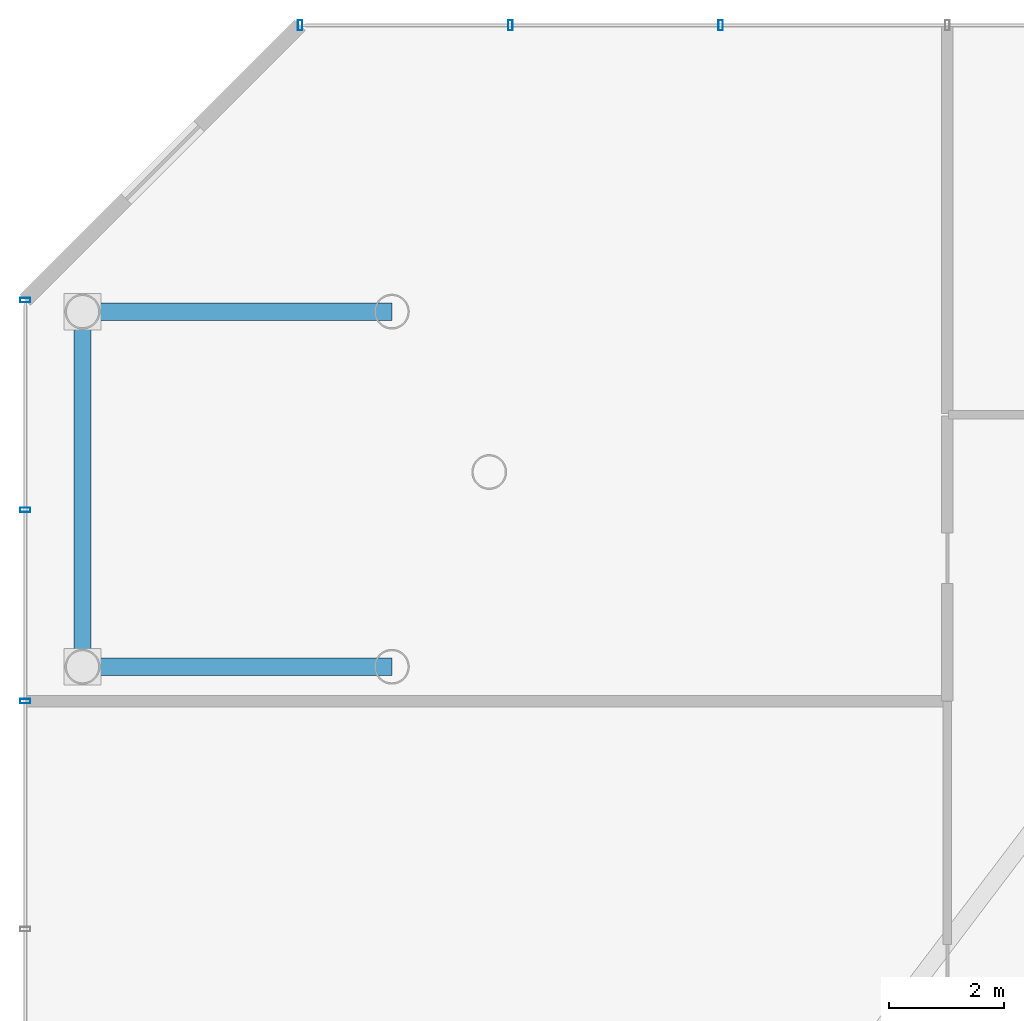
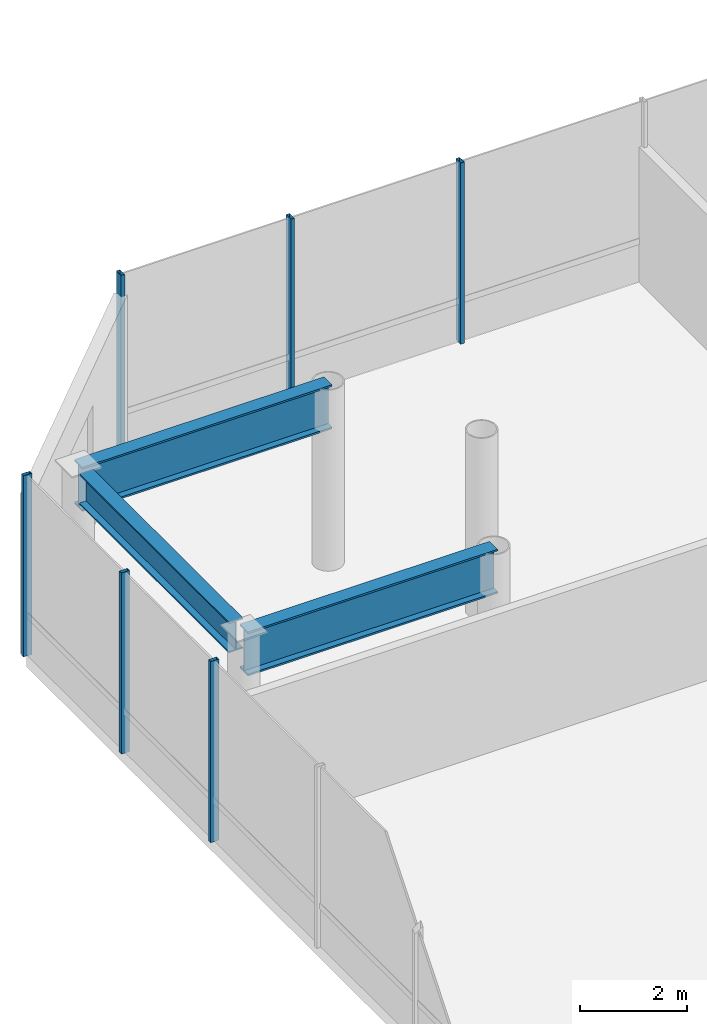
# One storey, part 17 of 37: 6 members, 3 beams, 2 elements without a shape of their own.
"""IFC4 building model written with IfcOpenShell, lengths in metres."""

from ifc_helpers import new_model, si_unit, direction, frame, origin, origin_2d, place, context, subcontext, project, spatial, hollow_rectangle, i_section, extrude, material, layer, layer_set, material_profile, profile_set, type_object, element, aggregate, save


model = new_model("IFC4")

# Units and contexts
model_context = context("Model", 3, precision=1e-05, world=origin(), true_north=direction((0.0, 1.0)))
body_context = subcontext(model_context, "Body", "Model", "MODEL_VIEW")
ifc_project = project(units=[si_unit("LENGTHUNIT", "METRE"), si_unit("AREAUNIT", "SQUARE_METRE"), si_unit("VOLUMEUNIT", "CUBIC_METRE"), si_unit("PLANEANGLEUNIT", "RADIAN"), si_unit("MASSUNIT", "GRAM", prefix="KILO")], contexts=[model_context])

# Site, building, storey
site_placement = place(None, origin())
site = spatial("IfcSite", under=ifc_project, at=site_placement, CompositionType="ELEMENT")
building_placement = place(site_placement, origin())
building = spatial("IfcBuilding", under=site, at=building_placement, Name="Zarrinselat Tower", CompositionType="ELEMENT")
storey_placement = place(building_placement, frame((0.0, 0.0, 13.93994140625)))
storey = spatial("IfcBuildingStorey", under=building, at=storey_placement, Name="L03", CompositionType="ELEMENT", Elevation=13.93994140625)

# Beams
ifc_material_1 = material(Name="Steel S355J2", Category="steel")
ifc_material_profile_1 = material_profile(ifc_material_1, i_section(OverallWidth=0.300048828125, OverallDepth=0.699951171875, WebThickness=0.01708984375, FlangeThickness=0.031982421875, at=origin_2d()), Name="HEB 700")
ifc_profile_set_1 = profile_set([ifc_material_profile_1], Name="Steel S355J2")
beam_type_1 = type_object("IfcBeamType", Name="BM-HEB700", PredefinedType="SPANDREL", material=ifc_profile_set_1)
beam_placement = place(storey_placement, frame((3.39990234375, 40.89990234375, 3.7900390625), z_axis=(0.0, 1.0, 0.0), x_axis=(-1.0, 0.0, 0.0)))
element("IfcBeam", 1, at=beam_placement, inside=storey, type_object=beam_type_1, Name="L03 Podium Perimeter Beam W-40", PredefinedType="SPANDREL", context=body_context, shape_type="SweptSolid", body=[
    extrude(i_section(OverallWidth=0.300048828125, OverallDepth=0.699951171875, WebThickness=0.01708984375, FlangeThickness=0.031982421875, at=origin_2d()), origin(), (0.0, 0.0, 1.0), 5.60009765625),
])
ifc_material_2 = material(Name="Steel S460M", Category="steel")
ifc_material_profile_2 = material_profile(ifc_material_2, i_section(OverallWidth=0.302001953125, OverallDepth=1.008056640625, WebThickness=0.02099609375, FlangeThickness=0.0400390625, at=origin_2d()), Name="HEM 1000")
ifc_profile_set_2 = profile_set([ifc_material_profile_2], Name="Steel S460M")
beam_type_2 = type_object("IfcBeamType", Name="BM-PDTR-HEM1000", PredefinedType="BEAM", material=ifc_profile_set_2)
for number, where, z_axis, x_axis, name in (
    (2, (3.39990234375, 40.60009765625, 3.635986328125), (1.0, 0.0, 0.0), (0.0, 1.0, 0.0), "L03 Podium Transfer Girder W-40"),
    (3, (3.39990234375, 46.800048828125, 3.635986328125), (1.0, 0.0, 0.0), (0.0, 1.0, 0.0), "L03 Podium Transfer Girder W-46"),
):
    element("IfcBeam", number, at=place(storey_placement, frame(where, z_axis=z_axis, x_axis=x_axis)), inside=storey, type_object=beam_type_2, Name=name, PredefinedType="BEAM", context=body_context, shape_type="SweptSolid", body=[
        extrude(i_section(OverallWidth=0.302001953125, OverallDepth=1.008056640625, WebThickness=0.02099609375, FlangeThickness=0.0400390625, at=origin_2d()), origin(), (0.0, 0.0, 1.0), 5.400146484375),
    ])

# Curtain wall, members
ifc_material_3 = material(Name="Extruded Aluminium Alloy EN AW-6063 T6", Category="aluminium")
ifc_layer = layer(ifc_material_3, 0.2099609375)
ifc_layer_set = layer_set([ifc_layer], Name="Extruded Aluminium Alloy EN AW-6063 T6")
curtain_wall_type = type_object("IfcCurtainWallType", Name="CWS-POD", PredefinedType="NOTDEFINED", material=ifc_layer_set)
curtain_wall_1_placement = place(storey_placement, origin())
curtain_wall_1 = element("IfcCurtainWall", 4, at=curtain_wall_1_placement, inside=storey, type_object=curtain_wall_type, Name="L03 Unitised Curtain Wall CW-L03-F5", PredefinedType="NOTDEFINED")
ifc_material_4 = material(Name="Extruded Aluminium Alloy EN AW-6063 T6", Category="aluminium")
ifc_material_profile_3 = material_profile(ifc_material_4, hollow_rectangle(XDim=0.080078125, YDim=0.179931640625, WallThickness=0.0048828125, at=origin_2d()), Name="RHS 180x80x5")
ifc_profile_set_3 = profile_set([ifc_material_profile_3], Name="Extruded Aluminium Alloy EN AW-6063 T6")
member_type = type_object("IfcMemberType", Name="MEM-CW-MUL", PredefinedType="MULLION", material=ifc_profile_set_3)
member_1_placement = place(storey_placement, frame((14.541259765625, 51.800048828125, 0.0), z_axis=(0.0, 0.0, 1.0), x_axis=(-1.0, 0.0, 0.0)))
member_1 = element("IfcMember", 5, at=member_1_placement, type_object=member_type, Name="CW-L03-F5 Mullion 16", PredefinedType="MULLION", context=body_context, shape_type="SweptSolid", body=[
    extrude(hollow_rectangle(XDim=0.080078125, YDim=0.179931640625, WallThickness=0.0048828125, at=origin_2d()), origin(), (0.0, 0.0, 1.0), 4.14013671875),
])
member_2_placement = place(storey_placement, frame((10.87060546875, 51.800048828125, 0.0), z_axis=(0.0, 0.0, 1.0), x_axis=(-1.0, 0.0, 0.0)))
member_2 = element("IfcMember", 6, at=member_2_placement, type_object=member_type, Name="CW-L03-F5 Mullion 17", PredefinedType="MULLION", context=body_context, shape_type="SweptSolid", body=[
    extrude(hollow_rectangle(XDim=0.080078125, YDim=0.179931640625, WallThickness=0.0048828125, at=origin_2d()), origin(), (0.0, 0.0, 1.0), 4.14013671875),
])
member_3_placement = place(storey_placement, frame((7.199951171875, 51.800048828125, 0.0), z_axis=(0.0, 0.0, 1.0), x_axis=(-1.0, 0.0, 0.0)))
member_3 = element("IfcMember", 7, at=member_3_placement, type_object=member_type, Name="CW-L03-F5 Mullion 18", PredefinedType="MULLION", context=body_context, shape_type="SweptSolid", body=[
    extrude(hollow_rectangle(XDim=0.080078125, YDim=0.179931640625, WallThickness=0.0048828125, at=origin_2d()), origin(), (0.0, 0.0, 1.0), 4.14013671875),
])
aggregate(curtain_wall_1, [member_1, member_2, member_3])

curtain_wall_2_placement = place(storey_placement, origin())
curtain_wall_2 = element("IfcCurtainWall", 8, at=curtain_wall_2_placement, inside=storey, type_object=curtain_wall_type, Name="L03 Unitised Curtain Wall CW-L03-F7", PredefinedType="NOTDEFINED")
member_4_placement = place(storey_placement, frame((2.39990234375, 47.0, 0.0), z_axis=(0.0, 0.0, 1.0), x_axis=(0.0, -1.0, 0.0)))
member_4 = element("IfcMember", 9, at=member_4_placement, type_object=member_type, Name="CW-L03-F7 Mullion 0", PredefinedType="MULLION", context=body_context, shape_type="SweptSolid", body=[
    extrude(hollow_rectangle(XDim=0.080078125, YDim=0.179931640625, WallThickness=0.0048828125, at=origin_2d()), origin(), (0.0, 0.0, 1.0), 4.14013671875),
])
member_5_placement = place(storey_placement, frame((2.39990234375, 43.340087890625, 0.0), z_axis=(0.0, 0.0, 1.0), x_axis=(0.0, -1.0, 0.0)))
member_5 = element("IfcMember", 10, at=member_5_placement, type_object=member_type, Name="CW-L03-F7 Mullion 1", PredefinedType="MULLION", context=body_context, shape_type="SweptSolid", body=[
    extrude(hollow_rectangle(XDim=0.080078125, YDim=0.179931640625, WallThickness=0.0048828125, at=origin_2d()), origin(), (0.0, 0.0, 1.0), 4.14013671875),
])
member_6_placement = place(storey_placement, frame((2.39990234375, 40.0, 0.0), z_axis=(0.0, 0.0, 1.0), x_axis=(0.0, -1.0, 0.0)))
member_6 = element("IfcMember", 11, at=member_6_placement, type_object=member_type, Name="CW-L03-F7 Mullion 2", PredefinedType="MULLION", context=body_context, shape_type="SweptSolid", body=[
    extrude(hollow_rectangle(XDim=0.080078125, YDim=0.179931640625, WallThickness=0.0048828125, at=origin_2d()), origin(), (0.0, 0.0, 1.0), 4.14013671875),
])
aggregate(curtain_wall_2, [member_4, member_5, member_6])

save(model, "model.ifc")
